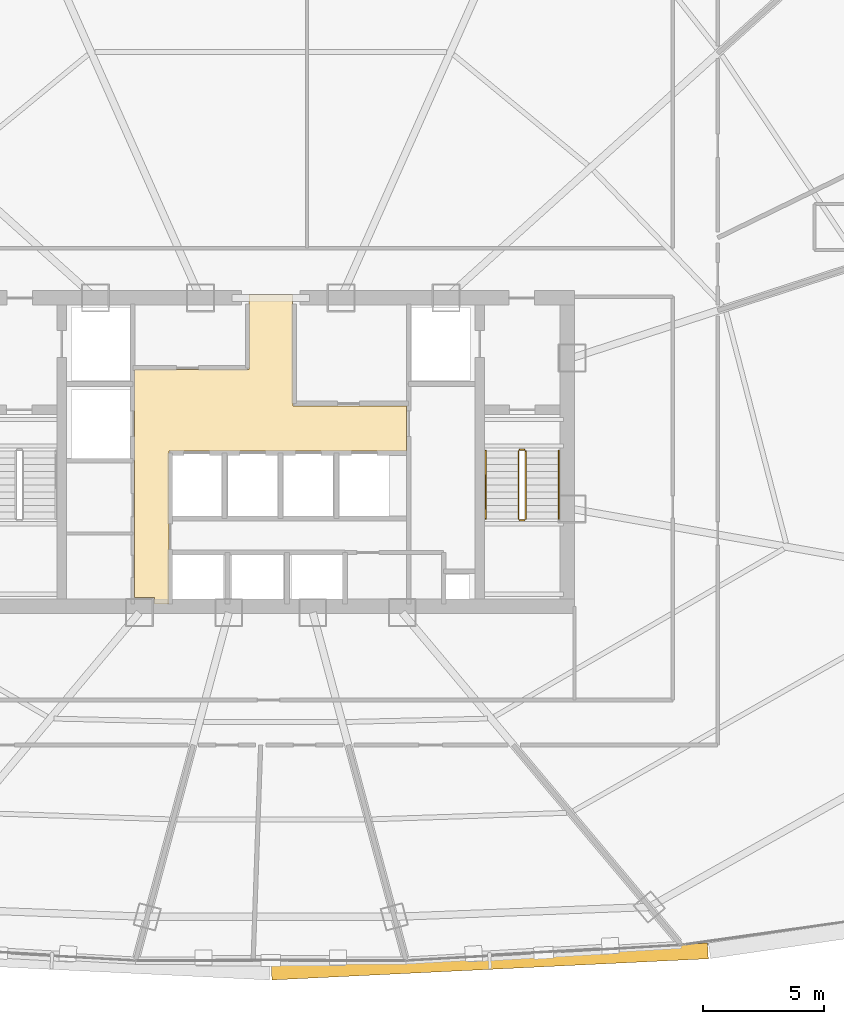
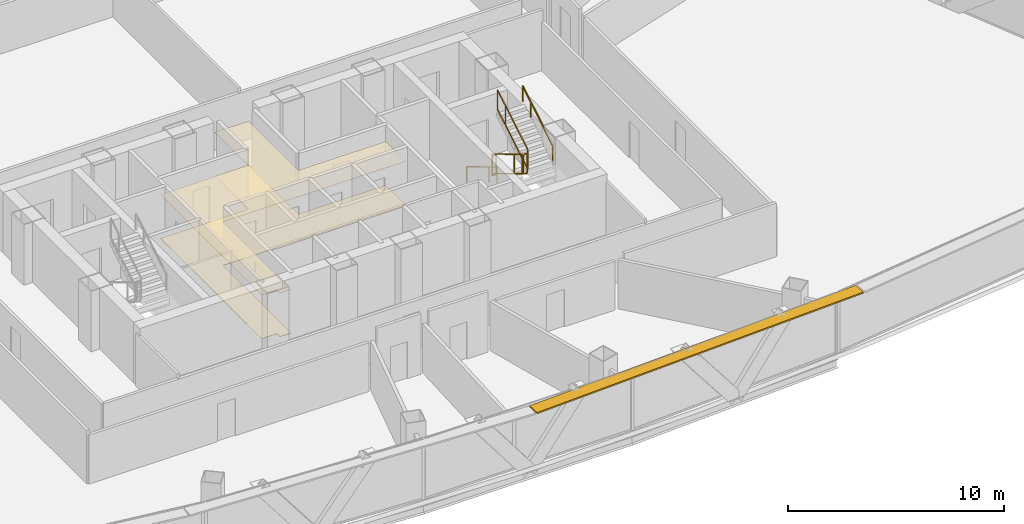
# One storey, part 40 of 42: 6 railings, 2 coverings, 1 shading device.
"""IFC4 building model written with IfcOpenShell, lengths in metres."""

from ifc_helpers import new_model, si_unit, direction, frame, origin, origin_2d, place, context, subcontext, project, spatial, polyline, rectangle, outline, extrude, source, transform, mapped, material, layer, layer_set, type_object, element, save


model = new_model("IFC4")

# Units and contexts
model_context = context("Model", 3, precision=1e-05, world=origin(), true_north=direction((0.0, 1.0)))
body_context = subcontext(model_context, "Body", "Model", "MODEL_VIEW")
ifc_project = project(units=[si_unit("LENGTHUNIT", "METRE"), si_unit("AREAUNIT", "SQUARE_METRE"), si_unit("VOLUMEUNIT", "CUBIC_METRE"), si_unit("PLANEANGLEUNIT", "RADIAN"), si_unit("MASSUNIT", "GRAM", prefix="KILO"), si_unit("THERMODYNAMICTEMPERATUREUNIT", "KELVIN"), si_unit("POWERUNIT", "WATT")], contexts=[model_context])

# Site, building, storey
site_placement = place(None, origin())
site = spatial("IfcSite", under=ifc_project, at=site_placement, CompositionType="ELEMENT")
building_placement = place(site_placement, origin())
building = spatial("IfcBuilding", under=site, at=building_placement, Name="Yunzhuo Pagoda Commons", CompositionType="ELEMENT")
storey_placement = place(building_placement, frame((0.0, 0.0, 137.18994140625)))
storey = spatial("IfcBuildingStorey", under=building, at=storey_placement, Name="L34", CompositionType="ELEMENT", Elevation=137.18994140625)

# Coverings
ifc_material_1 = material(Name="Perforated gypsum acoustic ceiling tile")
ifc_layer_1 = layer(ifc_material_1, 0.030029296875)
ifc_layer_set_1 = layer_set([ifc_layer_1], Name="Perforated gypsum acoustic ceiling tile")
covering_type_1 = type_object("IfcCoveringType", Name="COV-CL2 Ceiling 30", PredefinedType="CEILING", material=ifc_layer_set_1)
covering_1_placement = place(storey_placement, frame((0.0, 0.0, 2.469970703125)))
element("IfcCovering", 1, at=covering_1_placement, inside=storey, type_object=covering_type_1, Name="L34 lift lobby acoustic ceiling", PredefinedType="CEILING", context=body_context, shape_type="SweptSolid", body=[
    extrude(outline(polyline([(42.39990234375, 37.25), (47.10009765625, 37.25), (47.10009765625, 40.35009765625), (48.89990234375, 40.35009765625), (48.89990234375, 37.25), (48.919921875, 37.25), (48.919921875, 35.75), (53.580078125, 35.75), (53.580078125, 33.89990234375), (43.820068359375, 33.89990234375), (43.820068359375, 27.60009765625), (43.207763671875, 27.60009765625), (43.207763671875, 27.85009765625), (43.201904296875, 27.864013671875), (43.187744140625, 27.8701171875), (42.39990234375, 27.8701171875), (42.39990234375, 33.89990234375), (42.39990234375, 37.25)])), origin(), (0.0, 0.0, 1.0), 0.030029296875),
])
ifc_material_2 = material(Name="Porcelain ceramic floor tile")
ifc_layer_2 = layer(ifc_material_2, 0.02001953125)
ifc_layer_set_2 = layer_set([ifc_layer_2], Name="Porcelain ceramic floor tile")
covering_type_2 = type_object("IfcCoveringType", Name="COV-FL1 Flooring 20", PredefinedType="FLOORING", material=ifc_layer_set_2)
covering_2_placement = place(storey_placement, origin())
element("IfcCovering", 2, at=covering_2_placement, inside=storey, type_object=covering_type_2, Name="L34 lift lobby flooring", PredefinedType="FLOORING", context=body_context, shape_type="SweptSolid", body=[
    extrude(outline(polyline([(42.39990234375, 37.25), (47.10009765625, 37.25), (47.10009765625, 40.35009765625), (48.89990234375, 40.35009765625), (48.89990234375, 37.25), (48.919921875, 37.25), (48.919921875, 35.75), (53.580078125, 35.75), (53.580078125, 33.89990234375), (43.820068359375, 33.89990234375), (43.820068359375, 27.60009765625), (43.207763671875, 27.60009765625), (43.207763671875, 27.85009765625), (43.201904296875, 27.864013671875), (43.187744140625, 27.8701171875), (42.39990234375, 27.8701171875), (42.39990234375, 33.89990234375), (42.39990234375, 37.25)])), origin(), (0.0, 0.0, 1.0), 0.02001953125),
])

# Railings
ifc_material_3 = material(Name="Anodized aluminium 6063-T6", Category="aluminium")
railing_type_1 = type_object("IfcRailingType", Name="GR-ST2 Stair Well Guardrail 1160", PredefinedType="GUARDRAIL", material=ifc_material_3)
railing_1_placement = place(storey_placement, frame((58.199951171875, 33.89990234375, 0.167236328125)))
element("IfcRailing", 3, at=railing_1_placement, inside=storey, type_object=railing_type_1, Name="L34 ST2 stair guard 1", PredefinedType="GUARDRAIL", context=body_context, shape_type="SweptSolid", body=[
    extrude(rectangle(XDim=0.048095703125, YDim=0.048095703125, at=origin_2d()), frame((0.0, 0.0, 1.1259765625), z_axis=(0.0, -0.858442565357, 0.512909701589), x_axis=(1.0, 0.0, 0.0)), (0.0, 0.0, 1.0), 3.261474609375),
    extrude(rectangle(XDim=0.048095703125, YDim=0.048095703125, at=origin_2d()), frame((0.0, 0.0, 0.02392578125), z_axis=(0.0, -0.858442565357, 0.512909701589), x_axis=(1.0, 0.0, 0.0)), (0.0, 0.0, 1.0), 3.261474609375),
    extrude(rectangle(XDim=0.0419921875, YDim=0.0419921875, at=origin_2d()), origin(), (0.0, 0.0, 1.0), 1.101806640625),
    extrude(rectangle(XDim=0.0419921875, YDim=0.0419921875, at=origin_2d()), frame((0.0, -2.060302734375, 1.23095703125)), (0.0, 0.0, 1.0), 1.101806640625),
    extrude(rectangle(XDim=0.0419921875, YDim=0.0419921875, at=origin_2d()), frame((0.0, -2.7998046875, 1.6728515625)), (0.0, 0.0, 1.0), 1.101806640625),
])
railing_2_placement = place(storey_placement, frame((58.25, 31.050048828125, 1.840087890625)))
element("IfcRailing", 4, at=railing_2_placement, inside=storey, type_object=railing_type_1, Name="L34 ST2 stair guard 2", PredefinedType="GUARDRAIL", context=body_context, shape_type="SweptSolid", body=[
    extrude(rectangle(XDim=0.048095703125, YDim=0.048095703125, at=origin_2d()), frame((0.0, 0.0, 1.1259765625), z_axis=(1.0, 0.0, 0.0), x_axis=(0.0, 1.0, 0.0)), (0.0, 0.0, 1.0), 0.199951171875),
    extrude(rectangle(XDim=0.048095703125, YDim=0.048095703125, at=origin_2d()), frame((0.0, 0.0, 0.02392578125), z_axis=(1.0, 0.0, 0.0), x_axis=(0.0, 1.0, 0.0)), (0.0, 0.0, 1.0), 0.199951171875),
    extrude(rectangle(XDim=0.0419921875, YDim=0.0419921875, at=origin_2d()), origin(), (0.0, 0.0, 1.0), 1.101806640625),
    extrude(rectangle(XDim=0.0419921875, YDim=0.0419921875, at=origin_2d()), frame((0.199951171875, 0.0, 0.0)), (0.0, 0.0, 1.0), 1.101806640625),
])
railing_3_placement = place(storey_placement, frame((58.5, 31.10009765625, 2.00732421875)))
element("IfcRailing", 5, at=railing_3_placement, inside=storey, type_object=railing_type_1, Name="L34 ST2 stair guard 3", PredefinedType="GUARDRAIL", context=body_context, shape_type="SweptSolid", body=[
    extrude(rectangle(XDim=0.048095703125, YDim=0.048095703125, at=origin_2d()), frame((0.0, 0.0, 1.1259765625), z_axis=(0.0, 0.858442565357, 0.512909701589), x_axis=(-1.0, 0.0, 0.0)), (0.0, 0.0, 1.0), 3.261474609375),
    extrude(rectangle(XDim=0.048095703125, YDim=0.048095703125, at=origin_2d()), frame((0.0, 0.0, 0.02392578125), z_axis=(0.0, 0.858442565357, 0.512909701589), x_axis=(-1.0, 0.0, 0.0)), (0.0, 0.0, 1.0), 3.261474609375),
    extrude(rectangle(XDim=0.0419921875, YDim=0.0419921875, at=origin_2d()), origin(), (0.0, 0.0, 1.0), 1.101806640625),
    extrude(rectangle(XDim=0.0419921875, YDim=0.0419921875, at=origin_2d()), frame((0.0, 2.060302734375, 1.23095703125)), (0.0, 0.0, 1.0), 1.101806640625),
    extrude(rectangle(XDim=0.0419921875, YDim=0.0419921875, at=origin_2d()), frame((0.0, 2.7998046875, 1.6728515625)), (0.0, 0.0, 1.0), 1.101806640625),
])
railing_4_placement = place(storey_placement, frame((58.25, 33.949951171875, 0.0)))
element("IfcRailing", 6, at=railing_4_placement, inside=storey, type_object=railing_type_1, Name="L34 ST2 stair guard 4", PredefinedType="GUARDRAIL", context=body_context, shape_type="SweptSolid", body=[
    extrude(rectangle(XDim=0.048095703125, YDim=0.048095703125, at=origin_2d()), frame((0.0, 0.0, 1.1259765625), z_axis=(1.0, 0.0, 0.0), x_axis=(0.0, 1.0, 0.0)), (0.0, 0.0, 1.0), 0.199951171875),
    extrude(rectangle(XDim=0.048095703125, YDim=0.048095703125, at=origin_2d()), frame((0.0, 0.0, 0.02392578125), z_axis=(1.0, 0.0, 0.0), x_axis=(0.0, 1.0, 0.0)), (0.0, 0.0, 1.0), 0.199951171875),
    extrude(rectangle(XDim=0.0419921875, YDim=0.0419921875, at=origin_2d()), origin(), (0.0, 0.0, 1.0), 1.101806640625),
    extrude(rectangle(XDim=0.0419921875, YDim=0.0419921875, at=origin_2d()), frame((0.199951171875, 0.0, 0.0)), (0.0, 0.0, 1.0), 1.101806640625),
])
railing_type_2 = type_object("IfcRailingType", Name="HR-ST2 Stair Handrail 900", PredefinedType="HANDRAIL", material=ifc_material_3)
railing_5_placement = place(storey_placement, frame((56.85009765625, 33.89990234375, 0.167236328125)))
element("IfcRailing", 7, at=railing_5_placement, inside=storey, type_object=railing_type_2, Name="L34 ST2 stair handrail 1", PredefinedType="HANDRAIL", context=body_context, shape_type="SweptSolid", body=[
    extrude(rectangle(XDim=0.048095703125, YDim=0.048095703125, at=origin_2d()), frame((0.0, 0.0, 0.8759765625), z_axis=(0.0, -0.858442565357, 0.512909701589), x_axis=(1.0, 0.0, 0.0)), (0.0, 0.0, 1.0), 3.261474609375),
    extrude(rectangle(XDim=0.0419921875, YDim=0.0419921875, at=origin_2d()), origin(), (0.0, 0.0, 1.0), 0.851806640625),
    extrude(rectangle(XDim=0.0419921875, YDim=0.0419921875, at=origin_2d()), frame((0.0, -2.060302734375, 1.23095703125)), (0.0, 0.0, 1.0), 0.851806640625),
    extrude(rectangle(XDim=0.0419921875, YDim=0.0419921875, at=origin_2d()), frame((0.0, -2.7998046875, 1.6728515625)), (0.0, 0.0, 1.0), 0.851806640625),
])
railing_6_placement = place(storey_placement, frame((59.85009765625, 31.10009765625, 2.00732421875)))
element("IfcRailing", 8, at=railing_6_placement, inside=storey, type_object=railing_type_2, Name="L34 ST2 stair handrail 2", PredefinedType="HANDRAIL", context=body_context, shape_type="SweptSolid", body=[
    extrude(rectangle(XDim=0.048095703125, YDim=0.048095703125, at=origin_2d()), frame((0.0, 0.0, 0.8759765625), z_axis=(0.0, 0.858442565357, 0.512909701589), x_axis=(-1.0, 0.0, 0.0)), (0.0, 0.0, 1.0), 3.261474609375),
    extrude(rectangle(XDim=0.0419921875, YDim=0.0419921875, at=origin_2d()), origin(), (0.0, 0.0, 1.0), 0.851806640625),
    extrude(rectangle(XDim=0.0419921875, YDim=0.0419921875, at=origin_2d()), frame((0.0, 2.060302734375, 1.23095703125)), (0.0, 0.0, 1.0), 0.851806640625),
    extrude(rectangle(XDim=0.0419921875, YDim=0.0419921875, at=origin_2d()), frame((0.0, 2.7998046875, 1.6728515625)), (0.0, 0.0, 1.0), 0.851806640625),
])

# Shading device
ifc_layer_3 = layer(ifc_material_3, 0.080078125)
ifc_layer_set_3 = layer_set([ifc_layer_3], Name="Anodized aluminium 6063-T6")
shading_device_type = type_object("IfcShadingDeviceType", Name="SH-SUN1 Pagoda Horizontal Sunshade Eave 650", PredefinedType="USERDEFINED", material=ifc_layer_set_3)
shared_shape = source(origin(), body_context, "Body", "SweptSolid", [
    extrude(rectangle(XDim=17.9873046875, YDim=0.64990234375, at=origin_2d()), origin(), (0.0, 0.0, 1.0), 0.080078125),
])
shading_device_placement = place(storey_placement, frame((57.0146484375, 12.88330078125, 3.340087890625), z_axis=(0.0, 0.0, 1.0), x_axis=(0.998818043775, 0.04860571396, 0.0)))
element("IfcShadingDevice", 9, at=shading_device_placement, inside=storey, type_object=shading_device_type, Name="L34 horizontal pagoda sunshade eave F1.3", ObjectType="SUNSHADE", PredefinedType="USERDEFINED", context=body_context, shape_type="MappedRepresentation", body=[
    mapped(shared_shape, transform((0.0, 0.0, 0.0), scale=1.0)),
])

save(model, "model.ifc")
